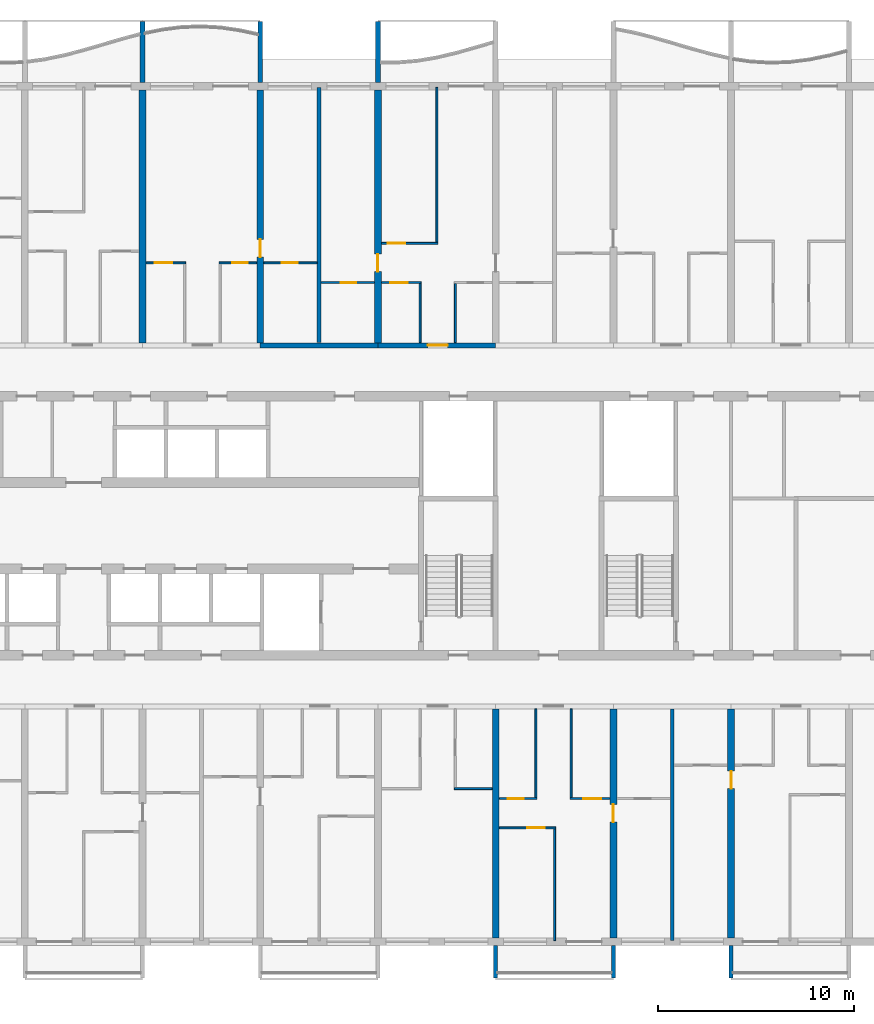
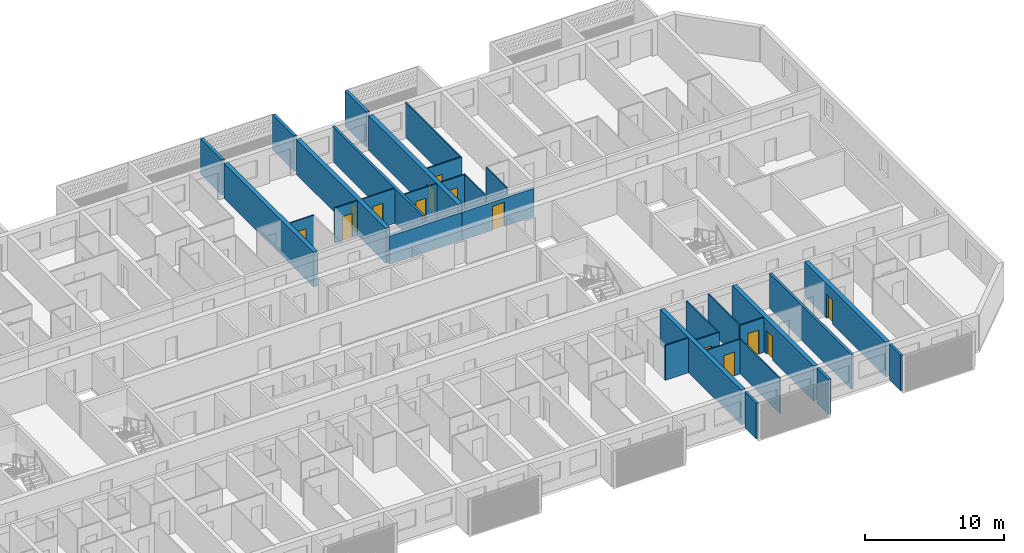
# One storey, part 14 of 28: 32 walls, 14 doors, 14 openings.
"""IFC4 building model written with IfcOpenShell, lengths in metres."""

from ifc_helpers import new_model, si_unit, direction, frame, frame_2d, origin, place, context, subcontext, project, spatial, polyline, rectangle, outline, extrude, source, transform, mapped, material, layer, layer_set, type_object, element, fill, save


model = new_model("IFC4")

# Units and contexts
model_context = context("Model", 3, precision=1e-05, world=origin(), true_north=direction((0.0, 1.0)))
body_context = subcontext(model_context, "Body", "Model", "MODEL_VIEW")
ifc_project = project(units=[si_unit("LENGTHUNIT", "METRE"), si_unit("AREAUNIT", "SQUARE_METRE"), si_unit("VOLUMEUNIT", "CUBIC_METRE"), si_unit("PLANEANGLEUNIT", "RADIAN"), si_unit("MASSUNIT", "GRAM", prefix="KILO")], contexts=[model_context])

# Site, building, storey
site_placement = place(None, origin())
site = spatial("IfcSite", under=ifc_project, at=site_placement, CompositionType="ELEMENT")
building_placement = place(site_placement, origin())
building = spatial("IfcBuilding", under=site, at=building_placement, Name="Poui Terraces", CompositionType="ELEMENT")
storey_placement = place(building_placement, frame((0.0, 0.0, 72.89990234375)))
storey = spatial("IfcBuildingStorey", under=building, at=storey_placement, Name="L19", CompositionType="ELEMENT", Elevation=72.89990234375)

# Wall
ifc_material_1 = material(Name="Concrete 65 MPa", Category="concrete")
ifc_layer_1 = layer(ifc_material_1, 0.25)
ifc_layer_set_1 = layer_set([ifc_layer_1], Name="Concrete 65 MPa")
wall_type_1 = type_object("IfcWallType", Name="CORRIDOR WALL 250 65MPa", PredefinedType="SHEAR", material=ifc_layer_set_1)
wall_1_placement = place(storey_placement, frame((60.0, 30.39990234375, 0.0), z_axis=(0.0, 0.0, 1.0), x_axis=(1.0, 0.0, 0.0)))
element("IfcWall", 1, at=wall_1_placement, inside=storey, type_object=wall_type_1, Name="CORRIDOR WALL LINE E BAY 10", PredefinedType="SHEAR", context=body_context, shape_type="SweptSolid", body=[
    extrude(rectangle(XDim=6.0, YDim=0.25, at=frame_2d((3.0, 0.0))), origin(), (0.0, 0.0, 1.0), 2.460205078125),
])

# Wall, opening, door
wall_2_placement = place(storey_placement, frame((66.0, 30.39990234375, 0.0), z_axis=(0.0, 0.0, 1.0), x_axis=(1.0, 0.0, 0.0)))
wall_2 = element("IfcWall", 2, at=wall_2_placement, inside=storey, type_object=wall_type_1, Name="CORRIDOR WALL LINE E BAY 11", PredefinedType="SHEAR", context=body_context, shape_type="SweptSolid", body=[
    extrude(rectangle(XDim=6.0, YDim=0.25, at=frame_2d((3.0, 0.0))), origin(), (0.0, 0.0, 1.0), 2.460205078125),
])
opening_1_placement = place(wall_2_placement, frame((2.550048828125, 0.0, 0.0)))
opening_1 = element("IfcOpeningElement", 3, at=opening_1_placement, cuts=wall_2, Name="Opening FD30S", PredefinedType="OPENING", context=body_context, shape_type="SweptSolid", body=[
    extrude(rectangle(XDim=1.0, YDim=2.10009765625, at=frame_2d((0.5, 1.050048828125))), frame((0.0, 0.135009765625, 0.0), z_axis=(0.0, -1.0, 0.0), x_axis=(1.0, 0.0, 0.0)), (0.0, 0.0, 1.0), 0.27001953125),
])
ifc_material_2 = material(Name="Steel fire door", Category="steel")
door_type_1 = type_object("IfcDoorType", Name="FLAT ENTRANCE DOOR 1000 X 2100", OperationType="NOTDEFINED", PredefinedType="DOOR", material=ifc_material_2)
door_1_placement = place(opening_1_placement, origin())
door_1 = element("IfcDoor", 4, at=door_1_placement, inside=storey, type_object=door_type_1, Name="FLAT ENTRANCE DOOR 071", OperationType="SINGLE_SWING_RIGHT", OverallHeight=2.10009765625, OverallWidth=1.0, PredefinedType="DOOR", context=body_context, shape_type="SweptSolid", body=[
    extrude(rectangle(XDim=1.0, YDim=2.10009765625, at=frame_2d((0.5, 1.050048828125))), frame((0.0, 0.02490234375, 0.0), z_axis=(0.0, -1.0, 0.0), x_axis=(1.0, 0.0, 0.0)), (0.0, 0.0, 1.0), 0.050048828125),
])
fill(opening_1, door_1)

# Wall
ifc_layer_2 = layer(ifc_material_1, 0.35009765625)
ifc_layer_set_2 = layer_set([ifc_layer_2], Name="Concrete 65 MPa")
wall_type_2 = type_object("IfcWallType", Name="CROSS WALL 350 65MPa", PredefinedType="SHEAR", material=ifc_layer_set_2)
wall_3_placement = place(storey_placement, frame((54.0, 30.52490234375, 0.0), z_axis=(0.0, 0.0, 1.0), x_axis=(0.0, 1.0, 0.0)))
element("IfcWall", 5, at=wall_3_placement, inside=storey, type_object=wall_type_2, Name="CROSS WALL LINE 10 NORTH", PredefinedType="SHEAR", context=body_context, shape_type="SweptSolid", body=[
    extrude(rectangle(XDim=12.875, YDim=0.35009765625, at=frame_2d((6.4375, 0.0))), origin(), (0.0, 0.0, 1.0), 3.06005859375),
])

# Wall, opening, door
wall_4_placement = place(storey_placement, frame((60.0, 30.52490234375, 0.0), z_axis=(0.0, 0.0, 1.0), x_axis=(0.0, 1.0, 0.0)))
wall_4 = element("IfcWall", 6, at=wall_4_placement, inside=storey, type_object=wall_type_2, Name="CROSS WALL LINE 11 NORTH", PredefinedType="SHEAR", context=body_context, shape_type="SweptSolid", body=[
    extrude(rectangle(XDim=12.875, YDim=0.35009765625, at=frame_2d((6.4375, 0.0))), origin(), (0.0, 0.0, 1.0), 3.06005859375),
])
opening_2_placement = place(wall_4_placement, frame((4.375, 0.0, 0.0)))
opening_2 = element("IfcOpeningElement", 7, at=opening_2_placement, cuts=wall_4, Name="Opening D90", PredefinedType="OPENING", context=body_context, shape_type="SweptSolid", body=[
    extrude(rectangle(XDim=0.89990234375, YDim=2.10009765625, at=frame_2d((0.449951171875, 1.050048828125))), frame((0.0, 0.18505859375, 0.0), z_axis=(0.0, -1.0, 0.0), x_axis=(1.0, 0.0, 0.0)), (0.0, 0.0, 1.0), 0.3701171875),
])
ifc_material_3 = material(Name="Solid core timber door", Category="wood")
door_type_2 = type_object("IfcDoorType", Name="INTERNAL DOOR 900 X 2100", OperationType="NOTDEFINED", PredefinedType="DOOR", material=ifc_material_3)
door_2_placement = place(opening_2_placement, frame((0.89990234375, 0.0, 0.0), z_axis=(0.0, 0.0, 1.0), x_axis=(-1.0, 0.0, 0.0)))
door_2 = element("IfcDoor", 8, at=door_2_placement, inside=storey, type_object=door_type_2, Name="INTERNAL DOOR 065", OperationType="SINGLE_SWING_RIGHT", OverallHeight=2.10009765625, OverallWidth=0.89990234375, PredefinedType="DOOR", context=body_context, shape_type="SweptSolid", body=[
    extrude(rectangle(XDim=0.89990234375, YDim=2.10009765625, at=frame_2d((0.449951171875, 1.050048828125))), frame((0.0, 0.02490234375, 0.0), z_axis=(0.0, -1.0, 0.0), x_axis=(1.0, 0.0, 0.0)), (0.0, 0.0, 1.0), 0.050048828125),
])
fill(opening_2, door_2)

wall_5_placement = place(storey_placement, frame((66.0, 30.52490234375, 0.0), z_axis=(0.0, 0.0, 1.0), x_axis=(0.0, 1.0, 0.0)))
wall_5 = element("IfcWall", 9, at=wall_5_placement, inside=storey, type_object=wall_type_2, Name="CROSS WALL LINE 12 NORTH", PredefinedType="SHEAR", context=body_context, shape_type="SweptSolid", body=[
    extrude(rectangle(XDim=12.875, YDim=0.35009765625, at=frame_2d((6.4375, 0.0))), origin(), (0.0, 0.0, 1.0), 3.06005859375),
])
opening_3_placement = place(wall_5_placement, frame((3.625, 0.0, 0.0)))
opening_3 = element("IfcOpeningElement", 10, at=opening_3_placement, cuts=wall_5, Name="Opening D90", PredefinedType="OPENING", context=body_context, shape_type="SweptSolid", body=[
    extrude(rectangle(XDim=0.89990234375, YDim=2.10009765625, at=frame_2d((0.449951171875, 1.050048828125))), frame((0.0, 0.18505859375, 0.0), z_axis=(0.0, -1.0, 0.0), x_axis=(1.0, 0.0, 0.0)), (0.0, 0.0, 1.0), 0.3701171875),
])
door_3_placement = place(opening_3_placement, origin())
door_3 = element("IfcDoor", 11, at=door_3_placement, inside=storey, type_object=door_type_2, Name="INTERNAL DOOR 068", OperationType="SINGLE_SWING_LEFT", OverallHeight=2.10009765625, OverallWidth=0.89990234375, PredefinedType="DOOR", context=body_context, shape_type="SweptSolid", body=[
    extrude(rectangle(XDim=0.89990234375, YDim=2.10009765625, at=frame_2d((0.449951171875, 1.050048828125))), frame((0.0, 0.02490234375, 0.0), z_axis=(0.0, -1.0, 0.0), x_axis=(1.0, 0.0, 0.0)), (0.0, 0.0, 1.0), 0.050048828125),
])
fill(opening_3, door_3)

# Wall
wall_6_placement = place(storey_placement, frame((72.0, 0.199951171875, 0.0), z_axis=(0.0, 0.0, 1.0), x_axis=(0.0, 1.0, 0.0)))
element("IfcWall", 12, at=wall_6_placement, inside=storey, type_object=wall_type_2, Name="CROSS WALL LINE 13 SOUTH", PredefinedType="SHEAR", context=body_context, shape_type="SweptSolid", body=[
    extrude(rectangle(XDim=11.675048828125, YDim=0.35009765625, at=frame_2d((5.83740234375, 0.0))), origin(), (0.0, 0.0, 1.0), 3.06005859375),
])

# Wall, opening, door
wall_7_placement = place(storey_placement, frame((78.0, 0.199951171875, 0.0), z_axis=(0.0, 0.0, 1.0), x_axis=(0.0, 1.0, 0.0)))
wall_7 = element("IfcWall", 13, at=wall_7_placement, inside=storey, type_object=wall_type_2, Name="CROSS WALL LINE 14 SOUTH", PredefinedType="SHEAR", context=body_context, shape_type="SweptSolid", body=[
    extrude(rectangle(XDim=11.675048828125, YDim=0.35009765625, at=frame_2d((5.83740234375, 0.0))), origin(), (0.0, 0.0, 1.0), 3.06005859375),
])
opening_4_placement = place(wall_7_placement, frame((5.89990234375, 0.0, 0.0)))
opening_4 = element("IfcOpeningElement", 14, at=opening_4_placement, cuts=wall_7, Name="Opening D90", PredefinedType="OPENING", context=body_context, shape_type="SweptSolid", body=[
    extrude(rectangle(XDim=0.89990234375, YDim=2.10009765625, at=frame_2d((0.449951171875, 1.050048828125))), frame((0.0, 0.18505859375, 0.0), z_axis=(0.0, -1.0, 0.0), x_axis=(1.0, 0.0, 0.0)), (0.0, 0.0, 1.0), 0.3701171875),
])
door_4_placement = place(opening_4_placement, frame((0.89990234375, 0.0, 0.0), z_axis=(0.0, 0.0, 1.0), x_axis=(-1.0, 0.0, 0.0)))
door_4 = element("IfcDoor", 15, at=door_4_placement, inside=storey, type_object=door_type_2, Name="INTERNAL DOOR 127", OperationType="SINGLE_SWING_LEFT", OverallHeight=2.10009765625, OverallWidth=0.89990234375, PredefinedType="DOOR", context=body_context, shape_type="SweptSolid", body=[
    extrude(rectangle(XDim=0.89990234375, YDim=2.10009765625, at=frame_2d((0.449951171875, 1.050048828125))), frame((0.0, 0.02490234375, 0.0), z_axis=(0.0, -1.0, 0.0), x_axis=(1.0, 0.0, 0.0)), (0.0, 0.0, 1.0), 0.050048828125),
])
fill(opening_4, door_4)

wall_8_placement = place(storey_placement, frame((84.0, 0.199951171875, 0.0), z_axis=(0.0, 0.0, 1.0), x_axis=(0.0, 1.0, 0.0)))
wall_8 = element("IfcWall", 16, at=wall_8_placement, inside=storey, type_object=wall_type_2, Name="CROSS WALL LINE 15 SOUTH", PredefinedType="SHEAR", context=body_context, shape_type="SweptSolid", body=[
    extrude(rectangle(XDim=11.675048828125, YDim=0.35009765625, at=frame_2d((5.83740234375, 0.0))), origin(), (0.0, 0.0, 1.0), 3.06005859375),
])
opening_5_placement = place(wall_8_placement, frame((7.60009765625, 0.0, 0.0)))
opening_5 = element("IfcOpeningElement", 17, at=opening_5_placement, cuts=wall_8, Name="Opening D90", PredefinedType="OPENING", context=body_context, shape_type="SweptSolid", body=[
    extrude(rectangle(XDim=0.89990234375, YDim=2.10009765625, at=frame_2d((0.449951171875, 1.050048828125))), frame((0.0, 0.18505859375, 0.0), z_axis=(0.0, -1.0, 0.0), x_axis=(1.0, 0.0, 0.0)), (0.0, 0.0, 1.0), 0.3701171875),
])
door_5_placement = place(opening_5_placement, origin())
door_5 = element("IfcDoor", 18, at=door_5_placement, inside=storey, type_object=door_type_2, Name="INTERNAL DOOR 129", OperationType="SINGLE_SWING_RIGHT", OverallHeight=2.10009765625, OverallWidth=0.89990234375, PredefinedType="DOOR", context=body_context, shape_type="SweptSolid", body=[
    extrude(rectangle(XDim=0.89990234375, YDim=2.10009765625, at=frame_2d((0.449951171875, 1.050048828125))), frame((0.0, 0.02490234375, 0.0), z_axis=(0.0, -1.0, 0.0), x_axis=(1.0, 0.0, 0.0)), (0.0, 0.0, 1.0), 0.050048828125),
])
fill(opening_5, door_5)

ifc_material_4 = material(Name="Plasterboard partition")
ifc_layer_3 = layer(ifc_material_4, 0.10009765625)
ifc_layer_set_3 = layer_set([ifc_layer_3], Name="Plasterboard partition")
wall_type_3 = type_object("IfcWallType", Name="FLAT PARTITION 100", PredefinedType="PARTITIONING", material=ifc_layer_set_3)
wall_9_placement = place(storey_placement, frame((72.18505859375, 5.800048828125, 0.0), z_axis=(0.0, 0.0, 1.0), x_axis=(1.0, 0.0, 0.0)))
wall_9 = element("IfcWall", 19, at=wall_9_placement, inside=storey, type_object=wall_type_3, Name="FLAT PARTITION 100", PredefinedType="PARTITIONING", context=body_context, shape_type="SweptSolid", body=[
    extrude(rectangle(XDim=2.864990234375, YDim=0.10009765625, at=frame_2d((1.4326171875, 0.0))), origin(), (0.0, 0.0, 1.0), 3.06005859375),
])
opening_6_placement = place(wall_9_placement, frame((1.4150390625, 0.0, 0.0)))
opening_6 = element("IfcOpeningElement", 20, at=opening_6_placement, cuts=wall_9, Name="Opening D90", PredefinedType="OPENING", context=body_context, shape_type="SweptSolid", body=[
    extrude(rectangle(XDim=0.89990234375, YDim=2.10009765625, at=frame_2d((0.449951171875, 1.050048828125))), frame((0.0, 0.06005859375, 0.0), z_axis=(0.0, -1.0, 0.0), x_axis=(1.0, 0.0, 0.0)), (0.0, 0.0, 1.0), 0.1201171875),
])
door_6_placement = place(opening_6_placement, origin())
door_6 = element("IfcDoor", 21, at=door_6_placement, inside=storey, type_object=door_type_2, Name="INTERNAL DOOR 124", OperationType="SINGLE_SWING_LEFT", OverallHeight=2.10009765625, OverallWidth=0.89990234375, PredefinedType="DOOR", context=body_context, shape_type="SweptSolid", body=[
    extrude(rectangle(XDim=0.89990234375, YDim=2.10009765625, at=frame_2d((0.449951171875, 1.050048828125))), frame((0.0, 0.02490234375, 0.0), z_axis=(0.0, -1.0, 0.0), x_axis=(1.0, 0.0, 0.0)), (0.0, 0.0, 1.0), 0.050048828125),
])
fill(opening_6, door_6)

wall_10_placement = place(storey_placement, frame((72.18505859375, 7.300048828125, 0.0), z_axis=(0.0, 0.0, 1.0), x_axis=(1.0, 0.0, 0.0)))
wall_10 = element("IfcWall", 22, at=wall_10_placement, inside=storey, type_object=wall_type_3, Name="FLAT PARTITION 100", PredefinedType="PARTITIONING", context=body_context, shape_type="SweptSolid", body=[
    extrude(rectangle(XDim=1.9150390625, YDim=0.10009765625, at=frame_2d((0.95751953125, 0.0))), origin(), (0.0, 0.0, 1.0), 3.06005859375),
])
opening_7_placement = place(wall_10_placement, frame((0.43994140625, 0.0, 0.0)))
opening_7 = element("IfcOpeningElement", 23, at=opening_7_placement, cuts=wall_10, Name="Opening D80", PredefinedType="OPENING", context=body_context, shape_type="SweptSolid", body=[
    extrude(rectangle(XDim=0.800048828125, YDim=2.10009765625, at=frame_2d((0.39990234375, 1.050048828125))), frame((0.0, 0.06005859375, 0.0), z_axis=(0.0, -1.0, 0.0), x_axis=(1.0, 0.0, 0.0)), (0.0, 0.0, 1.0), 0.1201171875),
])
door_type_3 = type_object("IfcDoorType", Name="BATHROOM, LAUNDRY AND STORE DOOR 800 X 2100", OperationType="NOTDEFINED", PredefinedType="DOOR", material=ifc_material_3)
door_7_placement = place(opening_7_placement, origin())
door_7 = element("IfcDoor", 24, at=door_7_placement, inside=storey, type_object=door_type_3, Name="BATHROOM, LAUNDRY AND STORE DOOR 123", OperationType="SINGLE_SWING_RIGHT", OverallHeight=2.10009765625, OverallWidth=0.800048828125, PredefinedType="DOOR", context=body_context, shape_type="SweptSolid", body=[
    extrude(rectangle(XDim=0.800048828125, YDim=2.10009765625, at=frame_2d((0.39990234375, 1.050048828125))), frame((0.0, 0.02490234375, 0.0), z_axis=(0.0, -1.0, 0.0), x_axis=(1.0, 0.0, 0.0)), (0.0, 0.0, 1.0), 0.050048828125),
])
fill(opening_7, door_7)

wall_11_placement = place(storey_placement, frame((75.800048828125, 7.300048828125, 0.0), z_axis=(0.0, 0.0, 1.0), x_axis=(1.0, 0.0, 0.0)))
wall_11 = element("IfcWall", 25, at=wall_11_placement, inside=storey, type_object=wall_type_3, Name="FLAT PARTITION 100", PredefinedType="PARTITIONING", context=body_context, shape_type="SweptSolid", body=[
    extrude(rectangle(XDim=2.014892578125, YDim=0.10009765625, at=frame_2d((1.00732421875, 0.0))), origin(), (0.0, 0.0, 1.0), 3.06005859375),
])
opening_8_placement = place(wall_11_placement, frame((0.675048828125, 0.0, 0.0)))
opening_8 = element("IfcOpeningElement", 26, at=opening_8_placement, cuts=wall_11, Name="Opening D90", PredefinedType="OPENING", context=body_context, shape_type="SweptSolid", body=[
    extrude(rectangle(XDim=0.89990234375, YDim=2.10009765625, at=frame_2d((0.449951171875, 1.050048828125))), frame((0.0, 0.06005859375, 0.0), z_axis=(0.0, -1.0, 0.0), x_axis=(1.0, 0.0, 0.0)), (0.0, 0.0, 1.0), 0.1201171875),
])
door_8_placement = place(opening_8_placement, origin())
door_8 = element("IfcDoor", 27, at=door_8_placement, inside=storey, type_object=door_type_2, Name="INTERNAL DOOR 126", OperationType="SINGLE_SWING_LEFT", OverallHeight=2.10009765625, OverallWidth=0.89990234375, PredefinedType="DOOR", context=body_context, shape_type="SweptSolid", body=[
    extrude(rectangle(XDim=0.89990234375, YDim=2.10009765625, at=frame_2d((0.449951171875, 1.050048828125))), frame((0.0, 0.02490234375, 0.0), z_axis=(0.0, -1.0, 0.0), x_axis=(1.0, 0.0, 0.0)), (0.0, 0.0, 1.0), 0.050048828125),
])
fill(opening_8, door_8)

# Wall
wall_12_placement = place(storey_placement, frame((69.89990234375, 7.800048828125, 0.0), z_axis=(0.0, 0.0, 1.0), x_axis=(1.0, 0.0, 0.0)))
element("IfcWall", 28, at=wall_12_placement, inside=storey, type_object=wall_type_3, Name="FLAT PARTITION 100", PredefinedType="PARTITIONING", context=body_context, shape_type="SweptSolid", body=[
    extrude(rectangle(XDim=1.9150390625, YDim=0.10009765625, at=frame_2d((0.95751953125, 0.0))), origin(), (0.0, 0.0, 1.0), 3.06005859375),
])

# Wall, opening, door
wall_13_placement = place(storey_placement, frame((63.10009765625, 33.60009765625, 0.0), z_axis=(0.0, 0.0, 1.0), x_axis=(1.0, 0.0, 0.0)))
wall_13 = element("IfcWall", 29, at=wall_13_placement, inside=storey, type_object=wall_type_3, Name="FLAT PARTITION 100", PredefinedType="PARTITIONING", context=body_context, shape_type="SweptSolid", body=[
    extrude(rectangle(XDim=2.71484375, YDim=0.10009765625, at=frame_2d((1.357421875, 0.0))), origin(), (0.0, 0.0, 1.0), 3.06005859375),
])
opening_9_placement = place(wall_13_placement, frame((1.0, 0.0, 0.0)))
opening_9 = element("IfcOpeningElement", 30, at=opening_9_placement, cuts=wall_13, Name="Opening D80", PredefinedType="OPENING", context=body_context, shape_type="SweptSolid", body=[
    extrude(rectangle(XDim=0.800048828125, YDim=2.10009765625, at=frame_2d((0.39990234375, 1.050048828125))), frame((0.0, 0.06005859375, 0.0), z_axis=(0.0, -1.0, 0.0), x_axis=(1.0, 0.0, 0.0)), (0.0, 0.0, 1.0), 0.1201171875),
])
door_9_placement = place(opening_9_placement, frame((0.800048828125, 0.0, 0.0), z_axis=(0.0, 0.0, 1.0), x_axis=(-1.0, 0.0, 0.0)))
door_9 = element("IfcDoor", 31, at=door_9_placement, inside=storey, type_object=door_type_3, Name="BATHROOM, LAUNDRY AND STORE DOOR 066", OperationType="SINGLE_SWING_RIGHT", OverallHeight=2.10009765625, OverallWidth=0.800048828125, PredefinedType="DOOR", context=body_context, shape_type="SweptSolid", body=[
    extrude(rectangle(XDim=0.800048828125, YDim=2.10009765625, at=frame_2d((0.39990234375, 1.050048828125))), frame((0.0, 0.02490234375, 0.0), z_axis=(0.0, -1.0, 0.0), x_axis=(1.0, 0.0, 0.0)), (0.0, 0.0, 1.0), 0.050048828125),
])
fill(opening_9, door_9)

wall_14_placement = place(storey_placement, frame((66.18505859375, 33.60009765625, 0.0), z_axis=(0.0, 0.0, 1.0), x_axis=(1.0, 0.0, 0.0)))
wall_14 = element("IfcWall", 32, at=wall_14_placement, inside=storey, type_object=wall_type_3, Name="FLAT PARTITION 100", PredefinedType="PARTITIONING", context=body_context, shape_type="SweptSolid", body=[
    extrude(rectangle(XDim=2.014892578125, YDim=0.10009765625, at=frame_2d((1.00732421875, 0.0))), origin(), (0.0, 0.0, 1.0), 3.06005859375),
])
opening_10_placement = place(wall_14_placement, frame((0.43994140625, 0.0, 0.0)))
opening_10 = element("IfcOpeningElement", 33, at=opening_10_placement, cuts=wall_14, Name="Opening D90", PredefinedType="OPENING", context=body_context, shape_type="SweptSolid", body=[
    extrude(rectangle(XDim=0.89990234375, YDim=2.10009765625, at=frame_2d((0.449951171875, 1.050048828125))), frame((0.0, 0.06005859375, 0.0), z_axis=(0.0, -1.0, 0.0), x_axis=(1.0, 0.0, 0.0)), (0.0, 0.0, 1.0), 0.1201171875),
])
door_10_placement = place(opening_10_placement, frame((0.89990234375, 0.0, 0.0), z_axis=(0.0, 0.0, 1.0), x_axis=(-1.0, 0.0, 0.0)))
door_10 = element("IfcDoor", 34, at=door_10_placement, inside=storey, type_object=door_type_2, Name="INTERNAL DOOR 070", OperationType="SINGLE_SWING_RIGHT", OverallHeight=2.10009765625, OverallWidth=0.89990234375, PredefinedType="DOOR", context=body_context, shape_type="SweptSolid", body=[
    extrude(rectangle(XDim=0.89990234375, YDim=2.10009765625, at=frame_2d((0.449951171875, 1.050048828125))), frame((0.0, 0.02490234375, 0.0), z_axis=(0.0, -1.0, 0.0), x_axis=(1.0, 0.0, 0.0)), (0.0, 0.0, 1.0), 0.050048828125),
])
fill(opening_10, door_10)

wall_15_placement = place(storey_placement, frame((54.18505859375, 34.60009765625, 0.0), z_axis=(0.0, 0.0, 1.0), x_axis=(1.0, 0.0, 0.0)))
wall_15 = element("IfcWall", 35, at=wall_15_placement, inside=storey, type_object=wall_type_3, Name="FLAT PARTITION 100", PredefinedType="PARTITIONING", context=body_context, shape_type="SweptSolid", body=[
    extrude(rectangle(XDim=2.014892578125, YDim=0.10009765625, at=frame_2d((1.00732421875, 0.0))), origin(), (0.0, 0.0, 1.0), 3.06005859375),
])
opening_11_placement = place(wall_15_placement, frame((0.43994140625, 0.0, 0.0)))
opening_11 = element("IfcOpeningElement", 36, at=opening_11_placement, cuts=wall_15, Name="Opening D90", PredefinedType="OPENING", context=body_context, shape_type="SweptSolid", body=[
    extrude(rectangle(XDim=0.89990234375, YDim=2.10009765625, at=frame_2d((0.449951171875, 1.050048828125))), frame((0.0, 0.06005859375, 0.0), z_axis=(0.0, -1.0, 0.0), x_axis=(1.0, 0.0, 0.0)), (0.0, 0.0, 1.0), 0.1201171875),
])
door_11_placement = place(opening_11_placement, frame((0.89990234375, 0.0, 0.0), z_axis=(0.0, 0.0, 1.0), x_axis=(-1.0, 0.0, 0.0)))
door_11 = element("IfcDoor", 37, at=door_11_placement, inside=storey, type_object=door_type_2, Name="INTERNAL DOOR 062", OperationType="SINGLE_SWING_RIGHT", OverallHeight=2.10009765625, OverallWidth=0.89990234375, PredefinedType="DOOR", context=body_context, shape_type="SweptSolid", body=[
    extrude(rectangle(XDim=0.89990234375, YDim=2.10009765625, at=frame_2d((0.449951171875, 1.050048828125))), frame((0.0, 0.02490234375, 0.0), z_axis=(0.0, -1.0, 0.0), x_axis=(1.0, 0.0, 0.0)), (0.0, 0.0, 1.0), 0.050048828125),
])
fill(opening_11, door_11)

wall_16_placement = place(storey_placement, frame((57.89990234375, 34.60009765625, 0.0), z_axis=(0.0, 0.0, 1.0), x_axis=(1.0, 0.0, 0.0)))
wall_16 = element("IfcWall", 38, at=wall_16_placement, inside=storey, type_object=wall_type_3, Name="FLAT PARTITION 100", PredefinedType="PARTITIONING", context=body_context, shape_type="SweptSolid", body=[
    extrude(rectangle(XDim=1.9150390625, YDim=0.10009765625, at=frame_2d((0.95751953125, 0.0))), origin(), (0.0, 0.0, 1.0), 3.06005859375),
])
opening_12_placement = place(wall_16_placement, frame((0.675048828125, 0.0, 0.0)))
opening_12 = element("IfcOpeningElement", 39, at=opening_12_placement, cuts=wall_16, Name="Opening D80", PredefinedType="OPENING", context=body_context, shape_type="SweptSolid", body=[
    extrude(rectangle(XDim=0.800048828125, YDim=2.10009765625, at=frame_2d((0.39990234375, 1.050048828125))), frame((0.0, 0.06005859375, 0.0), z_axis=(0.0, -1.0, 0.0), x_axis=(1.0, 0.0, 0.0)), (0.0, 0.0, 1.0), 0.1201171875),
])
door_12_placement = place(opening_12_placement, frame((0.800048828125, 0.0, 0.0), z_axis=(0.0, 0.0, 1.0), x_axis=(-1.0, 0.0, 0.0)))
door_12 = element("IfcDoor", 40, at=door_12_placement, inside=storey, type_object=door_type_3, Name="BATHROOM, LAUNDRY AND STORE DOOR 064", OperationType="SINGLE_SWING_LEFT", OverallHeight=2.10009765625, OverallWidth=0.800048828125, PredefinedType="DOOR", context=body_context, shape_type="SweptSolid", body=[
    extrude(rectangle(XDim=0.800048828125, YDim=2.10009765625, at=frame_2d((0.39990234375, 1.050048828125))), frame((0.0, 0.02490234375, 0.0), z_axis=(0.0, -1.0, 0.0), x_axis=(1.0, 0.0, 0.0)), (0.0, 0.0, 1.0), 0.050048828125),
])
fill(opening_12, door_12)

wall_17_placement = place(storey_placement, frame((60.18505859375, 34.60009765625, 0.0), z_axis=(0.0, 0.0, 1.0), x_axis=(1.0, 0.0, 0.0)))
wall_17 = element("IfcWall", 41, at=wall_17_placement, inside=storey, type_object=wall_type_3, Name="FLAT PARTITION 100", PredefinedType="PARTITIONING", context=body_context, shape_type="SweptSolid", body=[
    extrude(rectangle(XDim=2.71484375, YDim=0.10009765625, at=frame_2d((1.357421875, 0.0))), origin(), (0.0, 0.0, 1.0), 3.06005859375),
])
opening_13_placement = place(wall_17_placement, frame((0.9150390625, 0.0, 0.0)))
opening_13 = element("IfcOpeningElement", 42, at=opening_13_placement, cuts=wall_17, Name="Opening D80", PredefinedType="OPENING", context=body_context, shape_type="SweptSolid", body=[
    extrude(rectangle(XDim=0.800048828125, YDim=2.10009765625, at=frame_2d((0.39990234375, 1.050048828125))), frame((0.0, 0.06005859375, 0.0), z_axis=(0.0, -1.0, 0.0), x_axis=(1.0, 0.0, 0.0)), (0.0, 0.0, 1.0), 0.1201171875),
])
door_13_placement = place(opening_13_placement, frame((0.800048828125, 0.0, 0.0), z_axis=(0.0, 0.0, 1.0), x_axis=(-1.0, 0.0, 0.0)))
door_13 = element("IfcDoor", 43, at=door_13_placement, inside=storey, type_object=door_type_3, Name="BATHROOM, LAUNDRY AND STORE DOOR 061", OperationType="SINGLE_SWING_LEFT", OverallHeight=2.10009765625, OverallWidth=0.800048828125, PredefinedType="DOOR", context=body_context, shape_type="SweptSolid", body=[
    extrude(rectangle(XDim=0.800048828125, YDim=2.10009765625, at=frame_2d((0.39990234375, 1.050048828125))), frame((0.0, 0.02490234375, 0.0), z_axis=(0.0, -1.0, 0.0), x_axis=(1.0, 0.0, 0.0)), (0.0, 0.0, 1.0), 0.050048828125),
])
fill(opening_13, door_13)

wall_18_placement = place(storey_placement, frame((66.18505859375, 35.60009765625, 0.0), z_axis=(0.0, 0.0, 1.0), x_axis=(1.0, 0.0, 0.0)))
wall_18 = element("IfcWall", 44, at=wall_18_placement, inside=storey, type_object=wall_type_3, Name="FLAT PARTITION 100", PredefinedType="PARTITIONING", context=body_context, shape_type="SweptSolid", body=[
    extrude(rectangle(XDim=2.864990234375, YDim=0.10009765625, at=frame_2d((1.4326171875, 0.0))), origin(), (0.0, 0.0, 1.0), 3.06005859375),
])
opening_14_placement = place(wall_18_placement, frame((0.31494140625, 0.0, 0.0)))
opening_14 = element("IfcOpeningElement", 45, at=opening_14_placement, cuts=wall_18, Name="Opening D90", PredefinedType="OPENING", context=body_context, shape_type="SweptSolid", body=[
    extrude(rectangle(XDim=0.89990234375, YDim=2.10009765625, at=frame_2d((0.449951171875, 1.050048828125))), frame((0.0, 0.06005859375, 0.0), z_axis=(0.0, -1.0, 0.0), x_axis=(1.0, 0.0, 0.0)), (0.0, 0.0, 1.0), 0.1201171875),
])
door_14_placement = place(opening_14_placement, frame((0.89990234375, 0.0, 0.0), z_axis=(0.0, 0.0, 1.0), x_axis=(-1.0, 0.0, 0.0)))
door_14 = element("IfcDoor", 46, at=door_14_placement, inside=storey, type_object=door_type_2, Name="INTERNAL DOOR 069", OperationType="SINGLE_SWING_LEFT", OverallHeight=2.10009765625, OverallWidth=0.89990234375, PredefinedType="DOOR", context=body_context, shape_type="SweptSolid", body=[
    extrude(rectangle(XDim=0.89990234375, YDim=2.10009765625, at=frame_2d((0.449951171875, 1.050048828125))), frame((0.0, 0.02490234375, 0.0), z_axis=(0.0, -1.0, 0.0), x_axis=(1.0, 0.0, 0.0)), (0.0, 0.0, 1.0), 0.050048828125),
])
fill(opening_14, door_14)

# Walls
wall_19_placement = place(storey_placement, frame((68.14990234375, 30.534912109375, 0.0), z_axis=(0.0, 0.0, 1.0), x_axis=(0.0, 1.0, 0.0)))
element("IfcWall", 47, at=wall_19_placement, inside=storey, type_object=wall_type_3, Name="FLAT PARTITION 100", PredefinedType="PARTITIONING", context=body_context, shape_type="SweptSolid", body=[
    extrude(rectangle(XDim=3.01513671875, YDim=0.10009765625, at=frame_2d((1.507568359375, 0.0))), origin(), (0.0, 0.0, 1.0), 3.06005859375),
])
wall_20_placement = place(storey_placement, frame((69.0, 35.64990234375, 0.0), z_axis=(0.0, 0.0, 1.0), x_axis=(0.0, 1.0, 0.0)))
element("IfcWall", 48, at=wall_20_placement, inside=storey, type_object=wall_type_3, Name="FLAT PARTITION 100", PredefinedType="PARTITIONING", context=body_context, shape_type="SweptSolid", body=[
    extrude(rectangle(XDim=7.89013671875, YDim=0.10009765625, at=frame_2d((3.945068359375, 0.0))), origin(), (0.0, 0.0, 1.0), 3.06005859375),
])
wall_21_placement = place(storey_placement, frame((69.949951171875, 30.534912109375, 0.0), z_axis=(0.0, 0.0, 1.0), x_axis=(0.0, 1.0, 0.0)))
element("IfcWall", 49, at=wall_21_placement, inside=storey, type_object=wall_type_3, Name="FLAT PARTITION 100", PredefinedType="PARTITIONING", context=body_context, shape_type="SweptSolid", body=[
    extrude(rectangle(XDim=3.01513671875, YDim=0.10009765625, at=frame_2d((1.507568359375, 0.0))), origin(), (0.0, 0.0, 1.0), 3.06005859375),
])
wall_22_placement = place(storey_placement, frame((74.050048828125, 7.35009765625, 0.0), z_axis=(0.0, 0.0, 1.0), x_axis=(0.0, 1.0, 0.0)))
element("IfcWall", 50, at=wall_22_placement, inside=storey, type_object=wall_type_3, Name="FLAT PARTITION 100", PredefinedType="PARTITIONING", context=body_context, shape_type="SweptSolid", body=[
    extrude(rectangle(XDim=4.514892578125, YDim=0.10009765625, at=frame_2d((2.25732421875, 0.0))), origin(), (0.0, 0.0, 1.0), 3.06005859375),
])
wall_23_placement = place(storey_placement, frame((75.0, 0.06005859375, 0.0), z_axis=(0.0, 0.0, 1.0), x_axis=(0.0, 1.0, 0.0)))
element("IfcWall", 51, at=wall_23_placement, inside=storey, type_object=wall_type_3, Name="FLAT PARTITION 100", PredefinedType="PARTITIONING", context=body_context, shape_type="SweptSolid", body=[
    extrude(rectangle(XDim=5.68994140625, YDim=0.10009765625, at=frame_2d((2.844970703125, 0.0))), origin(), (0.0, 0.0, 1.0), 3.06005859375),
])
wall_24_placement = place(storey_placement, frame((75.85009765625, 7.35009765625, 0.0), z_axis=(0.0, 0.0, 1.0), x_axis=(0.0, 1.0, 0.0)))
element("IfcWall", 52, at=wall_24_placement, inside=storey, type_object=wall_type_3, Name="FLAT PARTITION 100", PredefinedType="PARTITIONING", context=body_context, shape_type="SweptSolid", body=[
    extrude(rectangle(XDim=4.514892578125, YDim=0.10009765625, at=frame_2d((2.25732421875, 0.0))), origin(), (0.0, 0.0, 1.0), 3.06005859375),
])
ifc_material_5 = material(Name="Fire-rated masonry wall", Category="masonry")
ifc_layer_4 = layer(ifc_material_5, 0.199951171875)
ifc_layer_set_4 = layer_set([ifc_layer_4], Name="Fire-rated masonry wall")
wall_type_4 = type_object("IfcWallType", Name="FLAT PARTY WALL 200", PredefinedType="PARTITIONING", material=ifc_layer_set_4)
wall_25_placement = place(storey_placement, frame((63.0, 30.534912109375, 0.0), z_axis=(0.0, 0.0, 1.0), x_axis=(0.0, 1.0, 0.0)))
element("IfcWall", 53, at=wall_25_placement, inside=storey, type_object=wall_type_4, Name="FLAT PARTY WALL 200", PredefinedType="PARTITIONING", context=body_context, shape_type="SweptSolid", body=[
    extrude(rectangle(XDim=13.005126953125, YDim=0.199951171875, at=frame_2d((6.50244140625, 0.0))), origin(), (0.0, 0.0, 1.0), 3.06005859375),
])
wall_26_placement = place(storey_placement, frame((81.0, 0.06005859375, 0.0), z_axis=(0.0, 0.0, 1.0), x_axis=(0.0, 1.0, 0.0)))
element("IfcWall", 54, at=wall_26_placement, inside=storey, type_object=wall_type_4, Name="FLAT PARTY WALL 200", PredefinedType="PARTITIONING", context=body_context, shape_type="SweptSolid", body=[
    extrude(rectangle(XDim=11.804931640625, YDim=0.199951171875, at=frame_2d((5.90234375, 0.0))), origin(), (0.0, 0.0, 1.0), 3.06005859375),
])
ifc_material_6 = material(Name="Precast concrete 40 MPa", Category="concrete")
ifc_layer_5 = layer(ifc_material_6, 0.199951171875)
ifc_layer_set_5 = layer_set([ifc_layer_5], Name="Precast concrete 40 MPa")
wall_type_5 = type_object("IfcWallType", Name="REAR FIN 200", PredefinedType="STANDARD", material=ifc_layer_set_5)
shared_shape_1 = source(origin(), body_context, "Body", "SweptSolid", [
    extrude(outline(polyline([(0.0, 0.0), (0.2001953125, 0.0), (0.2001953125, 1.650146484375), (0.0, 1.650146484375), (0.0, 0.0)])), origin(), (0.0, 0.0, 1.0), 3.10009765625),
])
for number, where, name in (
    (55, (71.89990234375, -1.85009765625, 0.0), "REAR FIN"),
    (56, (77.89990234375, -1.85009765625, 0.0), "REAR FIN"),
    (57, (83.89990234375, -1.85009765625, 0.0), "REAR FIN"),
):
    element("IfcWall", number, at=place(storey_placement, frame(where)), inside=storey, type_object=wall_type_5, Name=name, PredefinedType="STANDARD", context=body_context, shape_type="MappedRepresentation", body=[
        mapped(shared_shape_1, transform((0.0, 0.0, 0.0))),
    ])
ifc_layer_6 = layer(ifc_material_6, 0.25)
ifc_layer_set_6 = layer_set([ifc_layer_6], Name="Precast concrete 40 MPa")
wall_type_6 = type_object("IfcWallType", Name="BALCONY FIN 250", PredefinedType="STANDARD", material=ifc_layer_set_6)
shared_shape_2 = source(origin(), body_context, "Body", "SweptSolid", [
    extrude(outline(polyline([(0.0, 0.0), (0.25, 0.0), (0.25, 3.099853515625), (0.0, 3.099853515625), (0.0, 0.0)])), origin(), (0.0, 0.0, 1.0), 3.10009765625),
])
for number, where, name in (
    (58, (53.875, 43.800048828125, 0.0), "BALCONY FIN"),
    (59, (59.875, 43.800048828125, 0.0), "BALCONY FIN"),
    (60, (65.875, 43.800048828125, 0.0), "BALCONY FIN"),
):
    element("IfcWall", number, at=place(storey_placement, frame(where)), inside=storey, type_object=wall_type_6, Name=name, PredefinedType="STANDARD", context=body_context, shape_type="MappedRepresentation", body=[
        mapped(shared_shape_2, transform((0.0, 0.0, 0.0))),
    ])

save(model, "model.ifc")
